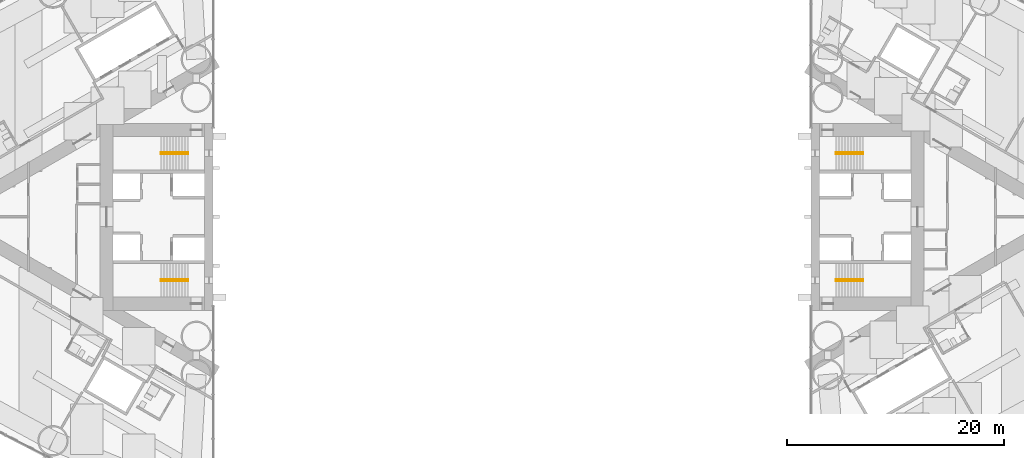
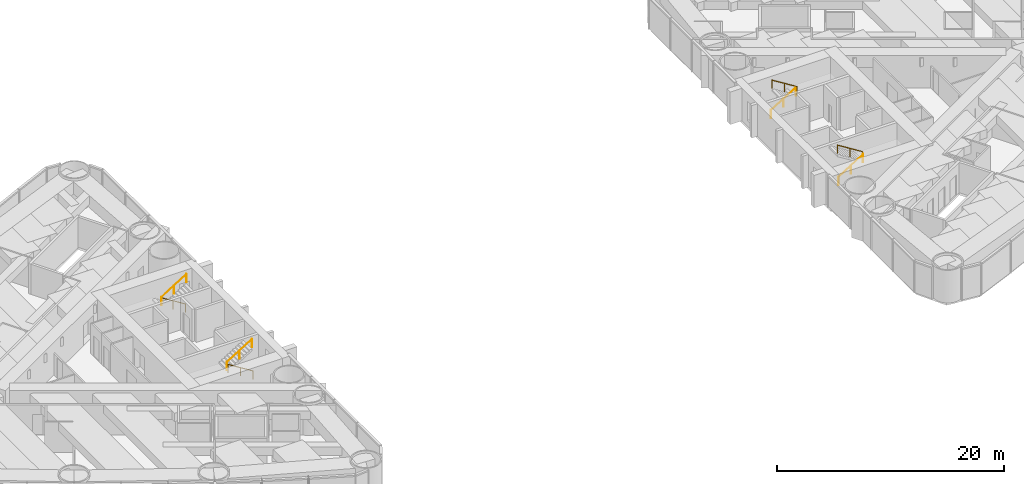
# One storey, part 18 of 19: 8 railings.
"""IFC4 building model written with IfcOpenShell, lengths in metres."""

from ifc_helpers import new_model, si_unit, direction, frame, origin, origin_2d, place, context, subcontext, project, spatial, circle, extrude, material, type_object, element, save


model = new_model("IFC4")

# Units and contexts
model_context = context("Model", 3, precision=1e-05, world=origin(), true_north=direction((0.0, 1.0)))
body_context = subcontext(model_context, "Body", "Model", "MODEL_VIEW")
ifc_project = project(units=[si_unit("LENGTHUNIT", "METRE"), si_unit("AREAUNIT", "SQUARE_METRE"), si_unit("VOLUMEUNIT", "CUBIC_METRE"), si_unit("PLANEANGLEUNIT", "RADIAN"), si_unit("MASSUNIT", "GRAM", prefix="KILO")], contexts=[model_context])

# Site, building, storey
site_placement = place(None, origin())
site = spatial("IfcSite", under=ifc_project, at=site_placement, CompositionType="ELEMENT")
building_placement = place(site_placement, origin())
building = spatial("IfcBuilding", under=site, at=building_placement, Name="Lancet Gate Hotel", CompositionType="ELEMENT")
storey_placement = place(building_placement, frame((0.0, 0.0, 18.0)))
storey = spatial("IfcBuildingStorey", under=building, at=storey_placement, Name="L03", CompositionType="ELEMENT", Elevation=18.0)

# Railings
ifc_material = material(Name="Stainless steel handrail", Category="steel")
railing_type = type_object("IfcRailingType", Name="Stair handrail 900", PredefinedType="HANDRAIL", material=ifc_material)
railing_1_placement = place(storey_placement, frame((-29.800048828125, 5.929931640625, 0.175048828125)))
element("IfcRailing", 1, at=railing_1_placement, inside=storey, type_object=railing_type, Name="ST1 handrail flight 1 L03", PredefinedType="HANDRAIL", context=body_context, shape_type="SweptSolid", body=[
    extrude(circle(Radius=0.02392578125, at=origin_2d()), frame((0.0, 0.0, 0.8759765625), z_axis=(-0.848007534815, 0.0, 0.529984170421), x_axis=(0.0, -1.0, 0.0)), (0.0, 0.0, 1.0), 2.9716796875),
    extrude(circle(Radius=0.02099609375, at=origin_2d()), origin(), (0.0, 0.0, 1.0), 0.851806640625),
    extrude(circle(Radius=0.02099609375, at=origin_2d()), frame((-1.260009765625, 0.0, 0.78759765625)), (0.0, 0.0, 1.0), 0.851806640625),
    extrude(circle(Radius=0.02099609375, at=origin_2d()), frame((-2.52001953125, 0.0, 1.574951171875)), (0.0, 0.0, 1.0), 0.851806640625),
])
railing_2_placement = place(storey_placement, frame((-32.320068359375, 5.77001953125, 1.925048828125)))
element("IfcRailing", 2, at=railing_2_placement, inside=storey, type_object=railing_type, Name="ST1 handrail flight 2 L03", PredefinedType="HANDRAIL", context=body_context, shape_type="SweptSolid", body=[
    extrude(circle(Radius=0.02392578125, at=origin_2d()), frame((0.0, 0.0, 0.8759765625), z_axis=(0.848007534815, 0.0, 0.529984170421), x_axis=(0.0, 1.0, 0.0)), (0.0, 0.0, 1.0), 2.9716796875),
    extrude(circle(Radius=0.02099609375, at=origin_2d()), origin(), (0.0, 0.0, 1.0), 0.851806640625),
    extrude(circle(Radius=0.02099609375, at=origin_2d()), frame((1.260009765625, 0.0, 0.78759765625)), (0.0, 0.0, 1.0), 0.851806640625),
    extrude(circle(Radius=0.02099609375, at=origin_2d()), frame((2.52001953125, 0.0, 1.574951171875)), (0.0, 0.0, 1.0), 0.851806640625),
])
railing_3_placement = place(storey_placement, frame((-29.800048828125, -5.929931640625, 0.175048828125)))
element("IfcRailing", 3, at=railing_3_placement, inside=storey, type_object=railing_type, Name="ST2 handrail flight 1 L03", PredefinedType="HANDRAIL", context=body_context, shape_type="SweptSolid", body=[
    extrude(circle(Radius=0.02392578125, at=origin_2d()), frame((0.0, 0.0, 0.8759765625), z_axis=(-0.848007534815, 0.0, 0.529984170421), x_axis=(0.0, -1.0, 0.0)), (0.0, 0.0, 1.0), 2.9716796875),
    extrude(circle(Radius=0.02099609375, at=origin_2d()), origin(), (0.0, 0.0, 1.0), 0.851806640625),
    extrude(circle(Radius=0.02099609375, at=origin_2d()), frame((-1.260009765625, 0.0, 0.78759765625)), (0.0, 0.0, 1.0), 0.851806640625),
    extrude(circle(Radius=0.02099609375, at=origin_2d()), frame((-2.52001953125, 0.0, 1.574951171875)), (0.0, 0.0, 1.0), 0.851806640625),
])
for number, where, name in (
    (4, (-32.320068359375, -5.77001953125, 1.925048828125), "ST2 handrail flight 2 L03"),
    (5, (29.800048828125, -5.929931640625, 0.175048828125), "ST3 handrail flight 1 L03"),
):
    element("IfcRailing", number, at=place(storey_placement, frame(where)), inside=storey, type_object=railing_type, Name=name, PredefinedType="HANDRAIL", context=body_context, shape_type="SweptSolid", body=[
        extrude(circle(Radius=0.02392578125, at=origin_2d()), frame((0.0, 0.0, 0.8759765625), z_axis=(0.848007534815, 0.0, 0.529984170421), x_axis=(0.0, 1.0, 0.0)), (0.0, 0.0, 1.0), 2.9716796875),
        extrude(circle(Radius=0.02099609375, at=origin_2d()), origin(), (0.0, 0.0, 1.0), 0.851806640625),
        extrude(circle(Radius=0.02099609375, at=origin_2d()), frame((1.260009765625, 0.0, 0.78759765625)), (0.0, 0.0, 1.0), 0.851806640625),
        extrude(circle(Radius=0.02099609375, at=origin_2d()), frame((2.52001953125, 0.0, 1.574951171875)), (0.0, 0.0, 1.0), 0.851806640625),
    ])
railing_4_placement = place(storey_placement, frame((32.320068359375, -5.77001953125, 1.925048828125)))
element("IfcRailing", 6, at=railing_4_placement, inside=storey, type_object=railing_type, Name="ST3 handrail flight 2 L03", PredefinedType="HANDRAIL", context=body_context, shape_type="SweptSolid", body=[
    extrude(circle(Radius=0.02392578125, at=origin_2d()), frame((0.0, 0.0, 0.8759765625), z_axis=(-0.848007534815, 0.0, 0.529984170421), x_axis=(0.0, -1.0, 0.0)), (0.0, 0.0, 1.0), 2.9716796875),
    extrude(circle(Radius=0.02099609375, at=origin_2d()), origin(), (0.0, 0.0, 1.0), 0.851806640625),
    extrude(circle(Radius=0.02099609375, at=origin_2d()), frame((-1.260009765625, 0.0, 0.78759765625)), (0.0, 0.0, 1.0), 0.851806640625),
    extrude(circle(Radius=0.02099609375, at=origin_2d()), frame((-2.52001953125, 0.0, 1.574951171875)), (0.0, 0.0, 1.0), 0.851806640625),
])
railing_5_placement = place(storey_placement, frame((29.800048828125, 5.929931640625, 0.175048828125)))
element("IfcRailing", 7, at=railing_5_placement, inside=storey, type_object=railing_type, Name="ST4 handrail flight 1 L03", PredefinedType="HANDRAIL", context=body_context, shape_type="SweptSolid", body=[
    extrude(circle(Radius=0.02392578125, at=origin_2d()), frame((0.0, 0.0, 0.8759765625), z_axis=(0.848007534815, 0.0, 0.529984170421), x_axis=(0.0, 1.0, 0.0)), (0.0, 0.0, 1.0), 2.9716796875),
    extrude(circle(Radius=0.02099609375, at=origin_2d()), origin(), (0.0, 0.0, 1.0), 0.851806640625),
    extrude(circle(Radius=0.02099609375, at=origin_2d()), frame((1.260009765625, 0.0, 0.78759765625)), (0.0, 0.0, 1.0), 0.851806640625),
    extrude(circle(Radius=0.02099609375, at=origin_2d()), frame((2.52001953125, 0.0, 1.574951171875)), (0.0, 0.0, 1.0), 0.851806640625),
])
railing_6_placement = place(storey_placement, frame((32.320068359375, 5.77001953125, 1.925048828125)))
element("IfcRailing", 8, at=railing_6_placement, inside=storey, type_object=railing_type, Name="ST4 handrail flight 2 L03", PredefinedType="HANDRAIL", context=body_context, shape_type="SweptSolid", body=[
    extrude(circle(Radius=0.02392578125, at=origin_2d()), frame((0.0, 0.0, 0.8759765625), z_axis=(-0.848007534815, 0.0, 0.529984170421), x_axis=(0.0, -1.0, 0.0)), (0.0, 0.0, 1.0), 2.9716796875),
    extrude(circle(Radius=0.02099609375, at=origin_2d()), origin(), (0.0, 0.0, 1.0), 0.851806640625),
    extrude(circle(Radius=0.02099609375, at=origin_2d()), frame((-1.260009765625, 0.0, 0.78759765625)), (0.0, 0.0, 1.0), 0.851806640625),
    extrude(circle(Radius=0.02099609375, at=origin_2d()), frame((-2.52001953125, 0.0, 1.574951171875)), (0.0, 0.0, 1.0), 0.851806640625),
])

save(model, "model.ifc")
